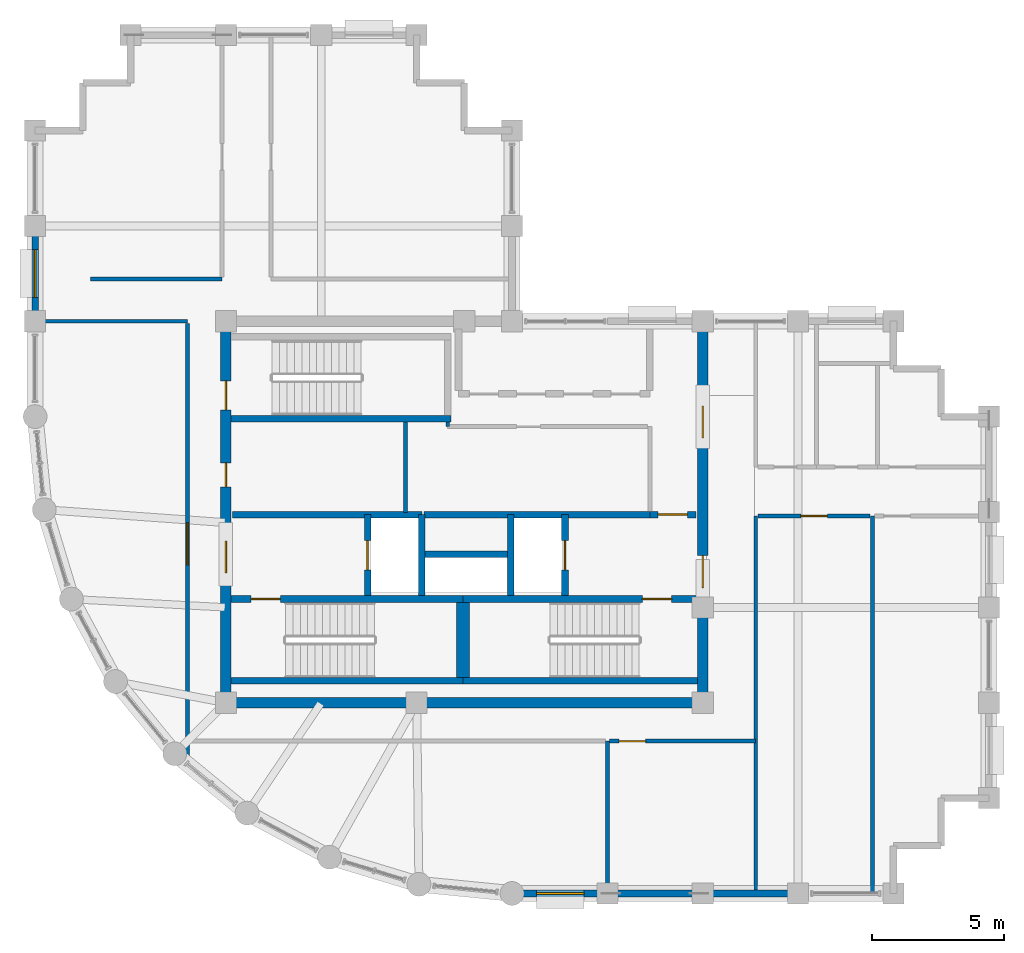
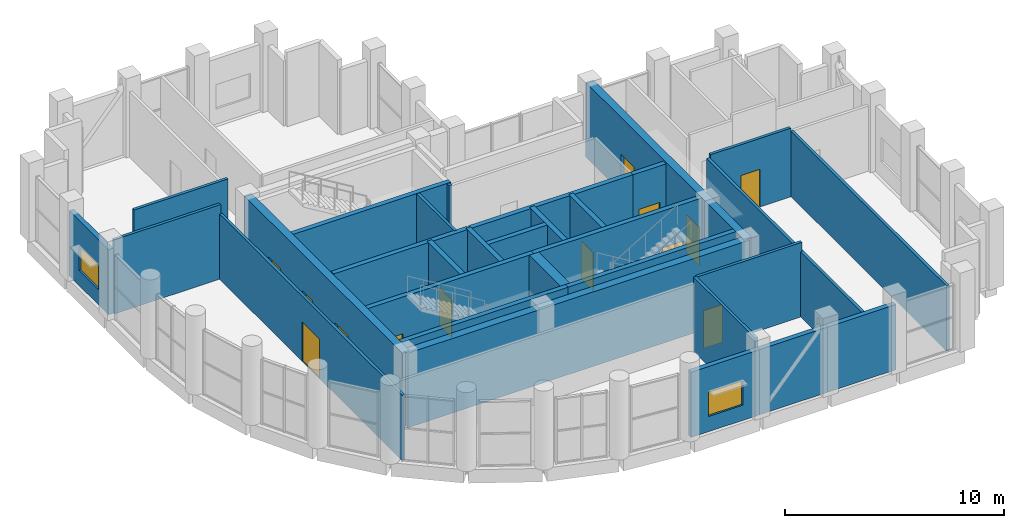
# One storey, part 14 of 18: 31 walls, 13 doors, 2 windows, 15 openings.
"""IFC4 building model written with IfcOpenShell, lengths in metres."""

import ifcopenshell
import ifcopenshell.guid

model = None  # the IFC model being written
_history = None  # IfcOwnerHistory: only IFC2X3 demands one
_inside = {}  # id of a spatial element -> (the spatial element, [elements in it])
_under = {}  # id of a project, library or spatial element -> (it, [spatial elements below it])
_declared = {}  # id of a project -> (the project, [libraries it declares])
_typed = {}  # id of a type object -> (the type object, [elements of that type])
_made_of = {}  # id of a material, layer set ... -> (it, [elements and type objects made of it])


def new_model(schema):
    """Start an empty IFC model of exactly this schema.

    Asked for "IFC4X3", IfcOpenShell would pick the latest addendum, in which some entities
    have other attributes; the version numbers below select the first issue.
    IFC2X3 requires an IfcOwnerHistory on every rooted entity: one is made here for all.
    """
    global model, _history
    if schema == "IFC4X3":
        model = ifcopenshell.file(schema_version=(4, 3, 0, 0))
    else:
        model = ifcopenshell.file(schema=schema)
    _inside.clear()
    _under.clear()
    _declared.clear()
    _typed.clear()
    _made_of.clear()
    _history = None
    if model.schema == "IFC2X3":
        org = make("IfcOrganization", Name="unknown")
        user = make(
            "IfcPersonAndOrganization",
            ThePerson=make("IfcPerson", FamilyName="unknown"),
            TheOrganization=org,
        )
        app = make(
            "IfcApplication",
            ApplicationDeveloper=org,
            Version="unknown",
            ApplicationFullName="unknown",
            ApplicationIdentifier="unknown",
        )
        _history = make(
            "IfcOwnerHistory",
            OwningUser=user,
            OwningApplication=app,
            ChangeAction="ADDED",
            CreationDate=0,
        )
    return model


def make(cls, **values):
    """One entity of the class cls with the attributes given. An attribute that is None is left unset."""
    return model.create_entity(
        cls, **{name: value for name, value in values.items() if value is not None}
    )


def rooted(cls, **values):
    """An entity with a GlobalId (a new one), such as an element, a storey or a relation."""
    return make(cls, GlobalId=ifcopenshell.guid.new(), OwnerHistory=_history, **values)


def si_unit(unit_type, name, prefix=None):
    """IfcSIUnit, for example si_unit("LENGTHUNIT", "METRE", prefix="MILLI")."""
    return make("IfcSIUnit", UnitType=unit_type, Prefix=prefix, Name=name)


def assignment(units):
    """IfcUnitAssignment: the units of a project."""
    return None if units is None else make("IfcUnitAssignment", Units=units)


def point(xyz):
    """IfcCartesianPoint."""
    return None if xyz is None else make("IfcCartesianPoint", Coordinates=xyz)


def direction(xyz):
    """IfcDirection."""
    return None if xyz is None else make("IfcDirection", DirectionRatios=xyz)


def frame(location, z_axis=None, x_axis=None):
    """IfcAxis2Placement3D, a coordinate frame: its origin and axes. An axis left out is left unset."""
    return make(
        "IfcAxis2Placement3D",
        Location=point(location),
        Axis=direction(z_axis),
        RefDirection=direction(x_axis),
    )


def frame_2d(location, x_axis=None):
    """IfcAxis2Placement2D, a coordinate frame in the plane: its origin and x axis."""
    return make(
        "IfcAxis2Placement2D", Location=point(location), RefDirection=direction(x_axis)
    )


def origin():
    """The frame at (0, 0, 0) with its axes left unset."""
    return frame((0.0, 0.0, 0.0))


def place(relative_to, where):
    """IfcLocalPlacement: puts the frame where relative to a parent placement (None: the world)."""
    return make(
        "IfcLocalPlacement", PlacementRelTo=relative_to, RelativePlacement=where
    )


def context(
    kind, dimensions, precision=None, world=None, true_north=None, identifier=None
):
    """IfcGeometricRepresentationContext, for example the 3D "Model" context."""
    return make(
        "IfcGeometricRepresentationContext",
        ContextIdentifier=identifier,
        ContextType=kind,
        CoordinateSpaceDimension=dimensions,
        Precision=precision,
        WorldCoordinateSystem=world,
        TrueNorth=true_north,
    )


def subcontext(parent, identifier, kind, view, scale=None):
    """IfcGeometricRepresentationSubContext, for example "Body" below "Model"."""
    return make(
        "IfcGeometricRepresentationSubContext",
        ContextIdentifier=identifier,
        ContextType=kind,
        ParentContext=parent,
        TargetScale=scale,
        TargetView=view,
    )


def project(units=None, contexts=None):
    """IfcProject with its units and contexts."""
    return rooted(
        "IfcProject",
        Name="project",
        RepresentationContexts=contexts,
        UnitsInContext=assignment(units),
    )


def spatial(cls, under=None, at=None, **own):
    """A site, building, storey or space (cls), placed at a placement, below another one or the project."""
    s = rooted(cls, ObjectPlacement=at, **own)
    if under is not None:
        _under.setdefault(under.id(), (under, []))[1].append(s)
    return s


def profile(cls, at=None, kind="AREA", **sizes):
    """A parametric profile (cls). Its sizes go by their IFC names, for example OverallWidth=200.0."""
    return make(cls, ProfileType=kind, Position=at, **sizes)


def rectangle(**sizes):
    """IfcRectangleProfileDef."""
    return profile("IfcRectangleProfileDef", **sizes)


def extrude(swept, where, along, depth):
    """IfcExtrudedAreaSolid: the profile swept, set in the frame where, extruded along a direction by depth."""
    return make(
        "IfcExtrudedAreaSolid",
        SweptArea=swept,
        Position=where,
        ExtrudedDirection=direction(along),
        Depth=depth,
    )


def shape(context_of_items, identifier, shape_type, items):
    """IfcShapeRepresentation: the items that make up one representation, for example the "Body"."""
    return make(
        "IfcShapeRepresentation",
        ContextOfItems=context_of_items,
        RepresentationIdentifier=identifier,
        RepresentationType=shape_type,
        Items=items,
    )


def material(Name=None, Category=None):
    """IfcMaterial."""
    return make("IfcMaterial", Name=Name, Category=Category)


def layer(
    of_material, thickness, ventilated=None, Name=None, Category=None, Priority=None
):
    """IfcMaterialLayer: one layer of a wall or slab, of a material (None: an air gap)."""
    return make(
        "IfcMaterialLayer",
        Material=of_material,
        LayerThickness=thickness,
        IsVentilated=ventilated,
        Name=Name,
        Category=Category,
        Priority=Priority,
    )


def layer_set(layers, Name=None):
    """IfcMaterialLayerSet."""
    return make("IfcMaterialLayerSet", MaterialLayers=layers, LayerSetName=Name)


def made_of(thing, what):
    """Note that an element or type object is made of a material, layer set ...; save() writes the relation."""
    if what is not None:
        _made_of.setdefault(what.id(), (what, []))[1].append(thing)
    return thing


def type_object(cls, material=None, **own):
    """A type object (cls), such as IfcWallType, which elements share."""
    return made_of(rooted(cls, **own), material)


def element(
    cls,
    number,
    at=None,
    inside=None,
    cuts=None,
    type_object=None,
    material=None,
    context=None,
    identifier="Body",
    shape_type=None,
    held_by="IfcProductDefinitionShape",
    body=None,
    shapes=None,
    **own,
):
    """One element of the class cls, such as IfcWall. Its Tag is "e" and its number.

    at: its placement. inside: the storey or other place that contains it. cuts: it is an
    opening in that element (IfcRelVoidsElement). A single representation is given by context,
    identifier, shape_type and body (its items); several are given by shapes. held_by: the class
    of the entity that holds the representations. save() writes the other relations.
    """
    e = rooted(cls, Tag="e%d" % number, ObjectPlacement=at, **own)
    if body is not None:
        shapes = [shape(context, identifier, shape_type, body)]
    if shapes is not None:
        e.Representation = make(held_by, Representations=shapes)
    if inside is not None:
        _inside.setdefault(inside.id(), (inside, []))[1].append(e)
    if cuts is not None:
        rooted(
            "IfcRelVoidsElement", RelatingBuildingElement=cuts, RelatedOpeningElement=e
        )
    if type_object is not None:
        _typed.setdefault(type_object.id(), (type_object, []))[1].append(e)
    return made_of(e, material)


def fill(opening, filler):
    """IfcRelFillsElement: the door or window that sits in an opening."""
    return rooted(
        "IfcRelFillsElement",
        RelatingOpeningElement=opening,
        RelatedBuildingElement=filler,
    )


def aggregate(whole, parts):
    """IfcRelAggregates: a whole, such as a stair, and the parts it consists of."""
    return rooted("IfcRelAggregates", RelatingObject=whole, RelatedObjects=parts)


def save(model, path):
    """Write the relations noted so far, then the file.

    IfcRelAggregates (storeys below a building ...), IfcRelContainedInSpatialStructure (elements
    in a storey), IfcRelDefinesByType, IfcRelAssociatesMaterial and IfcRelDeclares: one each for
    every whole, place, type object, material and project.
    """
    for whole, parts in _under.values():
        aggregate(whole, parts)
    for where, things in _inside.values():
        rooted(
            "IfcRelContainedInSpatialStructure",
            RelatedElements=things,
            RelatingStructure=where,
        )
    for kind, things in _typed.values():
        rooted("IfcRelDefinesByType", RelatedObjects=things, RelatingType=kind)
    for what, things in _made_of.values():
        rooted("IfcRelAssociatesMaterial", RelatedObjects=things, RelatingMaterial=what)
    for by, libraries in _declared.values():
        rooted("IfcRelDeclares", RelatingContext=by, RelatedDefinitions=libraries)
    model.write(path)


model = new_model("IFC4")

# Units and contexts
model_context = context("Model", 3, precision=1e-05, world=origin(), true_north=direction((0.0, 1.0)))
body_context = subcontext(model_context, "Body", "Model", "MODEL_VIEW")
ifc_project = project(units=[si_unit("LENGTHUNIT", "METRE"), si_unit("AREAUNIT", "SQUARE_METRE"), si_unit("VOLUMEUNIT", "CUBIC_METRE"), si_unit("PLANEANGLEUNIT", "RADIAN"), si_unit("MASSUNIT", "GRAM", prefix="KILO")], contexts=[model_context])

# Site, building, storey
site_placement = place(None, origin())
site = spatial("IfcSite", under=ifc_project, at=site_placement, CompositionType="ELEMENT")
building_placement = place(site_placement, origin())
building = spatial("IfcBuilding", under=site, at=building_placement, Name="Solnavia Interchange Tower", CompositionType="ELEMENT")
storey_placement = place(building_placement, frame((0.0, 0.0, 295.39990234375)))
storey = spatial("IfcBuildingStorey", under=building, at=storey_placement, Name="L75", CompositionType="ELEMENT", Elevation=295.39990234375)

# Wall, opening, window
ifc_material_1 = material(Name="Concrete C40/50", Category="concrete")
ifc_layer_1 = layer(ifc_material_1, 0.25)
ifc_layer_set_1 = layer_set([ifc_layer_1], Name="Concrete C40/50")
wall_type_1 = type_object("IfcWallType", Name="Wall-ExtSpandrel-250", PredefinedType="STANDARD", material=ifc_layer_set_1)
wall_1_placement = place(storey_placement, frame((28.800048828125, 3.60009765625, 0.0), z_axis=(0.0, 0.0, 1.0), x_axis=(-1.0, 0.0, 0.0)))
wall_1 = element("IfcWall", 1, at=wall_1_placement, inside=storey, type_object=wall_type_1, Name="EXW-L75-01 Exterior precast spandrel wall", PredefinedType="STANDARD", context=body_context, shape_type="SweptSolid", body=[
    extrude(rectangle(XDim=3.60009765625, YDim=0.25, at=frame_2d((1.800048828125, 0.0))), origin(), (0.0, 0.0, 1.0), 3.630126953125),
])
opening_1_placement = place(wall_1_placement, frame((0.875, 0.0, 0.85009765625)))
opening_1 = element("IfcOpeningElement", 2, at=opening_1_placement, cuts=wall_1, Name="Opening WIN-02", PredefinedType="OPENING", context=body_context, shape_type="SweptSolid", body=[
    extrude(rectangle(XDim=1.800048828125, YDim=1.35009765625, at=frame_2d((0.89990234375, 0.675048828125))), frame((0.0, 0.135009765625, 0.0), z_axis=(0.0, -1.0, 0.0), x_axis=(1.0, 0.0, 0.0)), (0.0, 0.0, 1.0), 0.27001953125),
])
ifc_material_2 = material(Name="Thermal-Break Aluminium & Low-E Glass", Category="aluminium")
window_type = type_object("IfcWindowType", Name="Window-Ribbon-1800x1350", PartitioningType="SINGLE_PANEL", PredefinedType="WINDOW", material=ifc_material_2)
window_1_placement = place(opening_1_placement, origin())
window_1 = element("IfcWindow", 3, at=window_1_placement, inside=storey, type_object=window_type, Name="WIN-L75-01 Facade ribbon window", OverallHeight=1.35009765625, OverallWidth=1.800048828125, PartitioningType="SINGLE_PANEL", PredefinedType="WINDOW", context=body_context, shape_type="SweptSolid", body=[
    extrude(rectangle(XDim=1.800048828125, YDim=1.35009765625, at=frame_2d((0.89990234375, 0.675048828125))), frame((0.0, 0.030029296875, 0.0), z_axis=(0.0, -1.0, 0.0), x_axis=(1.0, 0.0, 0.0)), (0.0, 0.0, 1.0), 0.06005859375),
])
fill(opening_1, window_1)

# Walls
wall_2_placement = place(storey_placement, frame((32.39990234375, 3.60009765625, 0.0), z_axis=(0.0, 0.0, 1.0), x_axis=(-1.0, 0.0, 0.0)))
element("IfcWall", 4, at=wall_2_placement, inside=storey, type_object=wall_type_1, Name="EXW-L75-02 Exterior precast spandrel wall", PredefinedType="STANDARD", context=body_context, shape_type="SweptSolid", body=[
    extrude(rectangle(XDim=3.599853515625, YDim=0.25, at=frame_2d((1.7998046875, 0.0))), origin(), (0.0, 0.0, 1.0), 3.630126953125),
])
wall_3_placement = place(storey_placement, frame((36.0, 3.60009765625, 0.0), z_axis=(0.0, 0.0, 1.0), x_axis=(-1.0, 0.0, 0.0)))
element("IfcWall", 5, at=wall_3_placement, inside=storey, type_object=wall_type_1, Name="EXW-L75-03 Exterior precast spandrel wall", PredefinedType="STANDARD", context=body_context, shape_type="SweptSolid", body=[
    extrude(rectangle(XDim=3.60009765625, YDim=0.25, at=frame_2d((1.800048828125, 0.0))), origin(), (0.0, 0.0, 1.0), 3.630126953125),
])

# Wall, opening, window
wall_4_placement = place(storey_placement, frame((7.199951171875, 25.199951171875, 0.0), z_axis=(0.0, 0.0, 1.0), x_axis=(0.0, 1.0, 0.0)))
wall_4 = element("IfcWall", 6, at=wall_4_placement, inside=storey, type_object=wall_type_1, Name="EXW-L75-35 Exterior precast spandrel wall", PredefinedType="STANDARD", context=body_context, shape_type="SweptSolid", body=[
    extrude(rectangle(XDim=3.60009765625, YDim=0.25, at=frame_2d((1.800048828125, 0.0))), origin(), (0.0, 0.0, 1.0), 3.630126953125),
])
opening_2_placement = place(wall_4_placement, frame((0.89990234375, 0.0, 0.85009765625)))
opening_2 = element("IfcOpeningElement", 7, at=opening_2_placement, cuts=wall_4, Name="Opening WIN-02", PredefinedType="OPENING", context=body_context, shape_type="SweptSolid", body=[
    extrude(rectangle(XDim=1.800048828125, YDim=1.35009765625, at=frame_2d((0.89990234375, 0.675048828125))), frame((0.0, 0.135009765625, 0.0), z_axis=(0.0, -1.0, 0.0), x_axis=(1.0, 0.0, 0.0)), (0.0, 0.0, 1.0), 0.27001953125),
])
window_2_placement = place(opening_2_placement, origin())
window_2 = element("IfcWindow", 8, at=window_2_placement, inside=storey, type_object=window_type, Name="WIN-L75-35 Facade ribbon window", OverallHeight=1.35009765625, OverallWidth=1.800048828125, PartitioningType="SINGLE_PANEL", PredefinedType="WINDOW", context=body_context, shape_type="SweptSolid", body=[
    extrude(rectangle(XDim=1.800048828125, YDim=1.35009765625, at=frame_2d((0.89990234375, 0.675048828125))), frame((0.0, 0.030029296875, 0.0), z_axis=(0.0, -1.0, 0.0), x_axis=(1.0, 0.0, 0.0)), (0.0, 0.0, 1.0), 0.06005859375),
])
fill(opening_2, window_2)

# Walls
ifc_material_3 = material(Name="Gypsum Plasterboard & Steel Stud", Category="steel")
ifc_layer_2 = layer(ifc_material_3, 0.14990234375)
ifc_layer_set_2 = layer_set([ifc_layer_2], Name="Gypsum Plasterboard & Steel Stud")
wall_type_2 = type_object("IfcWallType", Name="Wall-Partition-150", PredefinedType="PARTITIONING", material=ifc_layer_set_2)
wall_5_placement = place(storey_placement, frame((22.77490234375, 21.219970703125, 0.0), z_axis=(0.0, 0.0, 1.0), x_axis=(0.0, 1.0, 0.0)))
element("IfcWall", 9, at=wall_5_placement, inside=storey, type_object=wall_type_2, Name="CSW-L75-ST-TIE Core shaft wall", PredefinedType="PARTITIONING", context=body_context, shape_type="SweptSolid", body=[
    extrude(rectangle(XDim=0.175048828125, YDim=0.14990234375, at=frame_2d((0.08740234375, 0.0))), origin(), (0.0, 0.0, 1.0), 4.135009765625),
])
wall_6_placement = place(storey_placement, frame((21.179931640625, 17.97998046875, 0.0), z_axis=(0.0, 0.0, 1.0), x_axis=(0.0, 1.0, 0.0)))
element("IfcWall", 10, at=wall_6_placement, inside=storey, type_object=wall_type_2, Name="CSW-L75-M0 Core shaft wall", PredefinedType="PARTITIONING", context=body_context, shape_type="SweptSolid", body=[
    extrude(rectangle(XDim=3.419921875, YDim=0.14990234375, at=frame_2d((1.7099609375, 0.0))), origin(), (0.0, 0.0, 1.0), 4.135009765625),
])
wall_7_placement = place(storey_placement, frame((7.3291015625, 25.199951171875, 0.0), z_axis=(0.0, 0.0, 1.0), x_axis=(1.0, 0.0, 0.0)))
element("IfcWall", 11, at=wall_7_placement, inside=storey, type_object=wall_type_2, Name="PTW-L75-07 Interior partition wall", PredefinedType="PARTITIONING", context=body_context, shape_type="SweptSolid", body=[
    extrude(rectangle(XDim=5.620849609375, YDim=0.14990234375, at=frame_2d((2.810546875, 0.0))), origin(), (0.0, 0.0, 1.0), 4.135009765625),
])
wall_8_placement = place(storey_placement, frame((28.800048828125, 9.35009765625, 0.0), z_axis=(0.0, 0.0, 1.0), x_axis=(0.0, -1.0, 0.0)))
element("IfcWall", 12, at=wall_8_placement, inside=storey, type_object=wall_type_2, Name="PTW-L75-08 Interior partition wall", PredefinedType="PARTITIONING", context=body_context, shape_type="SweptSolid", body=[
    extrude(rectangle(XDim=5.62109375, YDim=0.14990234375, at=frame_2d((2.810546875, 0.0))), origin(), (0.0, 0.0, 1.0), 4.135009765625),
])

# Wall, opening, door
wall_9_placement = place(storey_placement, frame((12.949951171875, 8.47998046875, 0.0), z_axis=(0.0, 0.0, 1.0), x_axis=(0.0, 1.0, 0.0)))
wall_9 = element("IfcWall", 13, at=wall_9_placement, inside=storey, type_object=wall_type_2, Name="PTW-L75-09 Interior partition wall", PredefinedType="PARTITIONING", context=body_context, shape_type="SweptSolid", body=[
    extrude(rectangle(XDim=16.64111328125, YDim=0.14990234375, at=frame_2d((8.320556640625, 0.0))), origin(), (0.0, 0.0, 1.0), 3.630126953125),
])
opening_3_placement = place(wall_9_placement, frame((7.52001953125, 0.0, 0.0)))
opening_3 = element("IfcOpeningElement", 14, at=opening_3_placement, cuts=wall_9, Name="Opening DR-08", PredefinedType="OPENING", context=body_context, shape_type="SweptSolid", body=[
    extrude(rectangle(XDim=1.60009765625, YDim=2.199951171875, at=frame_2d((0.800048828125, 1.10009765625))), frame((0.0, 0.0849609375, 0.0), z_axis=(0.0, -1.0, 0.0), x_axis=(1.0, 0.0, 0.0)), (0.0, 0.0, 1.0), 0.169921875),
])
ifc_material_4 = material(Name="Thermally Broken Aluminium & Toughened Glass", Category="aluminium")
door_type_1 = type_object("IfcDoorType", Name="Door-RetailDouble-1600x2200", OperationType="DOUBLE_DOOR_SINGLE_SWING", PredefinedType="DOOR", material=ifc_material_4)
door_1_placement = place(opening_3_placement, origin())
door_1 = element("IfcDoor", 15, at=door_1_placement, inside=storey, type_object=door_type_1, Name="DR-L75-03 Interior room door", OperationType="DOUBLE_DOOR_SINGLE_SWING", OverallHeight=2.199951171875, OverallWidth=1.60009765625, PredefinedType="DOOR", context=body_context, shape_type="SweptSolid", body=[
    extrude(rectangle(XDim=1.60009765625, YDim=2.199951171875, at=frame_2d((0.800048828125, 1.10009765625))), frame((0.0, 0.02490234375, 0.0), z_axis=(0.0, -1.0, 0.0), x_axis=(1.0, 0.0, 0.0)), (0.0, 0.0, 1.0), 0.050048828125),
])
fill(opening_3, door_1)

wall_10_placement = place(storey_placement, frame((28.87890625, 9.35009765625, 0.0), z_axis=(0.0, 0.0, 1.0), x_axis=(1.0, 0.0, 0.0)))
wall_10 = element("IfcWall", 16, at=wall_10_placement, inside=storey, type_object=wall_type_2, Name="PTW-L75-11 Interior partition wall", PredefinedType="PARTITIONING", context=body_context, shape_type="SweptSolid", body=[
    extrude(rectangle(XDim=5.52099609375, YDim=0.14990234375, at=frame_2d((2.760498046875, 0.0))), origin(), (0.0, 0.0, 1.0), 4.135009765625),
])
opening_4_placement = place(wall_10_placement, frame((0.360107421875, 0.0, 0.0)))
opening_4 = element("IfcOpeningElement", 17, at=opening_4_placement, cuts=wall_10, Name="Opening DR-07", PredefinedType="OPENING", context=body_context, shape_type="SweptSolid", body=[
    extrude(rectangle(XDim=1.0, YDim=2.10009765625, at=frame_2d((0.5, 1.050048828125))), frame((0.0, 0.0849609375, 0.0), z_axis=(0.0, -1.0, 0.0), x_axis=(1.0, 0.0, 0.0)), (0.0, 0.0, 1.0), 0.169921875),
])
ifc_material_5 = material(Name="Timber & Acoustic Glazed Office Door", Category="wood")
door_type_2 = type_object("IfcDoorType", Name="Door-Office-1000x2100", OperationType="SINGLE_SWING_RIGHT", PredefinedType="DOOR", material=ifc_material_5)
door_2_placement = place(opening_4_placement, origin())
door_2 = element("IfcDoor", 18, at=door_2_placement, inside=storey, type_object=door_type_2, Name="DR-L75-04 Interior room door", OperationType="SINGLE_SWING_LEFT", OverallHeight=2.10009765625, OverallWidth=1.0, PredefinedType="DOOR", context=body_context, shape_type="SweptSolid", body=[
    extrude(rectangle(XDim=1.0, YDim=2.10009765625, at=frame_2d((0.5, 1.050048828125))), frame((0.0, 0.02490234375, 0.0), z_axis=(0.0, -1.0, 0.0), x_axis=(1.0, 0.0, 0.0)), (0.0, 0.0, 1.0), 0.050048828125),
])
fill(opening_4, door_2)

# Walls
wall_11_placement = place(storey_placement, frame((34.39990234375, 3.72900390625, 0.0), z_axis=(0.0, 0.0, 1.0), x_axis=(0.0, 1.0, 0.0)))
element("IfcWall", 19, at=wall_11_placement, inside=storey, type_object=wall_type_2, Name="PTW-L75-12 Interior partition wall", PredefinedType="PARTITIONING", context=body_context, shape_type="SweptSolid", body=[
    extrude(rectangle(XDim=14.12109375, YDim=0.14990234375, at=frame_2d((7.060546875, 0.0))), origin(), (0.0, 0.0, 1.0), 3.630126953125),
])
wall_12_placement = place(storey_placement, frame((38.800048828125, 3.60009765625, 0.0), z_axis=(0.0, 0.0, 1.0), x_axis=(0.0, 1.0, 0.0)))
element("IfcWall", 20, at=wall_12_placement, inside=storey, type_object=wall_type_2, Name="PTW-L75-13 Interior partition wall", PredefinedType="PARTITIONING", context=body_context, shape_type="SweptSolid", body=[
    extrude(rectangle(XDim=14.25, YDim=0.14990234375, at=frame_2d((7.125, 0.0))), origin(), (0.0, 0.0, 1.0), 3.630126953125),
])

# Wall, opening, door
wall_13_placement = place(storey_placement, frame((34.47900390625, 17.85009765625, 0.0), z_axis=(0.0, 0.0, 1.0), x_axis=(1.0, 0.0, 0.0)))
wall_13 = element("IfcWall", 21, at=wall_13_placement, inside=storey, type_object=wall_type_2, Name="PTW-L75-14 Interior partition wall", PredefinedType="PARTITIONING", context=body_context, shape_type="SweptSolid", body=[
    extrude(rectangle(XDim=4.241943359375, YDim=0.14990234375, at=frame_2d((2.12109375, 0.0))), origin(), (0.0, 0.0, 1.0), 3.820068359375),
])
opening_5_placement = place(wall_13_placement, frame((1.62109375, 0.0, 0.0)))
opening_5 = element("IfcOpeningElement", 22, at=opening_5_placement, cuts=wall_13, Name="Opening DR-07", PredefinedType="OPENING", context=body_context, shape_type="SweptSolid", body=[
    extrude(rectangle(XDim=1.0, YDim=2.10009765625, at=frame_2d((0.5, 1.050048828125))), frame((0.0, 0.0849609375, 0.0), z_axis=(0.0, -1.0, 0.0), x_axis=(1.0, 0.0, 0.0)), (0.0, 0.0, 1.0), 0.169921875),
])
door_3_placement = place(opening_5_placement, origin())
door_3 = element("IfcDoor", 23, at=door_3_placement, inside=storey, type_object=door_type_2, Name="DR-L75-05 Interior room door", OperationType="SINGLE_SWING_LEFT", OverallHeight=2.10009765625, OverallWidth=1.0, PredefinedType="DOOR", context=body_context, shape_type="SweptSolid", body=[
    extrude(rectangle(XDim=1.0, YDim=2.10009765625, at=frame_2d((0.5, 1.050048828125))), frame((0.0, 0.02490234375, 0.0), z_axis=(0.0, -1.0, 0.0), x_axis=(1.0, 0.0, 0.0)), (0.0, 0.0, 1.0), 0.050048828125),
])
fill(opening_5, door_3)

# Walls
wall_14_placement = place(storey_placement, frame((9.300048828125, 26.800048828125, 0.0), z_axis=(0.0, 0.0, 1.0), x_axis=(1.0, 0.0, 0.0)))
element("IfcWall", 24, at=wall_14_placement, inside=storey, type_object=wall_type_2, Name="PTW-L75-17 Interior partition wall", PredefinedType="PARTITIONING", context=body_context, shape_type="SweptSolid", body=[
    extrude(rectangle(XDim=4.949951171875, YDim=0.14990234375, at=frame_2d((2.47509765625, 0.0))), origin(), (0.0, 0.0, 1.0), 4.135009765625),
])
ifc_layer_3 = layer(ifc_material_1, 0.25)
ifc_layer_set_3 = layer_set([ifc_layer_3], Name="Concrete C40/50")
wall_type_3 = type_object("IfcWallType", Name="Wall-ShaftCore-250", PredefinedType="SHEAR", material=ifc_layer_set_3)
wall_15_placement = place(storey_placement, frame((14.60009765625, 11.625, 0.0), z_axis=(0.0, 0.0, 1.0), x_axis=(1.0, 0.0, 0.0)))
element("IfcWall", 25, at=wall_15_placement, inside=storey, type_object=wall_type_3, Name="SHW-L75-ST1S Core shear wall", PredefinedType="SHEAR", context=body_context, shape_type="SweptSolid", body=[
    extrude(rectangle(XDim=8.75, YDim=0.25, at=frame_2d((4.375, 0.0))), origin(), (0.0, 0.0, 1.0), 4.150146484375),
])

# Wall, opening, door
wall_16_placement = place(storey_placement, frame((14.60009765625, 14.715087890625, 0.0), z_axis=(0.0, 0.0, 1.0), x_axis=(1.0, 0.0, 0.0)))
wall_16 = element("IfcWall", 26, at=wall_16_placement, inside=storey, type_object=wall_type_3, Name="SHW-L75-ST1N Core shear wall", PredefinedType="SHEAR", context=body_context, shape_type="SweptSolid", body=[
    extrude(rectangle(XDim=8.75, YDim=0.25, at=frame_2d((4.375, 0.0))), origin(), (0.0, 0.0, 1.0), 4.150146484375),
])
opening_6_placement = place(wall_16_placement, frame((0.7548828125, 0.0, 0.0)))
opening_6 = element("IfcOpeningElement", 27, at=opening_6_placement, cuts=wall_16, Name="Opening DR-01", PredefinedType="OPENING", context=body_context, shape_type="SweptSolid", body=[
    extrude(rectangle(XDim=1.10009765625, YDim=2.10009765625, at=frame_2d((0.550048828125, 1.050048828125))), frame((0.0, 0.135009765625, 0.0), z_axis=(0.0, -1.0, 0.0), x_axis=(1.0, 0.0, 0.0)), (0.0, 0.0, 1.0), 0.27001953125),
])
ifc_material_6 = material(Name="Steel Fire-Rated Leaf & Frame", Category="steel")
door_type_3 = type_object("IfcDoorType", Name="Door-StairFire-1100x2100", OperationType="SINGLE_SWING_LEFT", PredefinedType="DOOR", material=ifc_material_6)
door_4_placement = place(opening_6_placement, origin())
door_4 = element("IfcDoor", 28, at=door_4_placement, inside=storey, type_object=door_type_3, Name="DR-L75-ST1 Core fire door", OperationType="SINGLE_SWING_LEFT", OverallHeight=2.10009765625, OverallWidth=1.10009765625, PredefinedType="DOOR", context=body_context, shape_type="SweptSolid", body=[
    extrude(rectangle(XDim=1.10009765625, YDim=2.10009765625, at=frame_2d((0.550048828125, 1.050048828125))), frame((0.0, 0.02490234375, 0.0), z_axis=(0.0, -1.0, 0.0), x_axis=(1.0, 0.0, 0.0)), (0.0, 0.0, 1.0), 0.050048828125),
])
fill(opening_6, door_4)

# Wall
wall_17_placement = place(storey_placement, frame((23.35009765625, 11.625, 0.0), z_axis=(0.0, 0.0, 1.0), x_axis=(1.0, 0.0, 0.0)))
element("IfcWall", 29, at=wall_17_placement, inside=storey, type_object=wall_type_3, Name="SHW-L75-ST2S Core shear wall", PredefinedType="SHEAR", context=body_context, shape_type="SweptSolid", body=[
    extrude(rectangle(XDim=8.849853515625, YDim=0.25, at=frame_2d((4.4248046875, 0.0))), origin(), (0.0, 0.0, 1.0), 4.150146484375),
])

# Wall, opening, door
wall_18_placement = place(storey_placement, frame((23.35009765625, 14.715087890625, 0.0), z_axis=(0.0, 0.0, 1.0), x_axis=(1.0, 0.0, 0.0)))
wall_18 = element("IfcWall", 30, at=wall_18_placement, inside=storey, type_object=wall_type_3, Name="SHW-L75-ST2N Core shear wall", PredefinedType="SHEAR", context=body_context, shape_type="SweptSolid", body=[
    extrude(rectangle(XDim=8.849853515625, YDim=0.25, at=frame_2d((4.4248046875, 0.0))), origin(), (0.0, 0.0, 1.0), 4.150146484375),
])
opening_7_placement = place(wall_18_placement, frame((6.77490234375, 0.0, 0.0)))
opening_7 = element("IfcOpeningElement", 31, at=opening_7_placement, cuts=wall_18, Name="Opening DR-01", PredefinedType="OPENING", context=body_context, shape_type="SweptSolid", body=[
    extrude(rectangle(XDim=1.10009765625, YDim=2.10009765625, at=frame_2d((0.550048828125, 1.050048828125))), frame((0.0, 0.135009765625, 0.0), z_axis=(0.0, -1.0, 0.0), x_axis=(1.0, 0.0, 0.0)), (0.0, 0.0, 1.0), 0.27001953125),
])
door_5_placement = place(opening_7_placement, origin())
door_5 = element("IfcDoor", 32, at=door_5_placement, inside=storey, type_object=door_type_3, Name="DR-L75-ST2 Core fire door", OperationType="SINGLE_SWING_LEFT", OverallHeight=2.10009765625, OverallWidth=1.10009765625, PredefinedType="DOOR", context=body_context, shape_type="SweptSolid", body=[
    extrude(rectangle(XDim=1.10009765625, YDim=2.10009765625, at=frame_2d((0.550048828125, 1.050048828125))), frame((0.0, 0.02490234375, 0.0), z_axis=(0.0, -1.0, 0.0), x_axis=(1.0, 0.0, 0.0)), (0.0, 0.0, 1.0), 0.050048828125),
])
fill(opening_7, door_5)

# Walls
wall_19_placement = place(storey_placement, frame((14.60009765625, 21.52490234375, 0.0), z_axis=(0.0, 0.0, 1.0), x_axis=(1.0, 0.0, 0.0)))
element("IfcWall", 33, at=wall_19_placement, inside=storey, type_object=wall_type_3, Name="SHW-L75-ST3S Core shear wall", PredefinedType="SHEAR", context=body_context, shape_type="SweptSolid", body=[
    extrude(rectangle(XDim=8.2998046875, YDim=0.25, at=frame_2d((4.14990234375, 0.0))), origin(), (0.0, 0.0, 1.0), 4.150146484375),
])
ifc_layer_4 = layer(ifc_material_1, 0.25)
ifc_layer_set_4 = layer_set([ifc_layer_4], Name="Concrete C40/50")
wall_type_4 = type_object("IfcWallType", Name="Wall-ShaftPart-250", PredefinedType="PARTITIONING", material=ifc_layer_set_4)
wall_20_placement = place(storey_placement, frame((14.64990234375, 17.89990234375, 0.0), z_axis=(0.0, 0.0, 1.0), x_axis=(1.0, 0.0, 0.0)))
element("IfcWall", 34, at=wall_20_placement, inside=storey, type_object=wall_type_4, Name="SHW-L75-FFLW-N Core shaft wall", PredefinedType="PARTITIONING", context=body_context, shape_type="SweptSolid", body=[
    extrude(rectangle(XDim=7.150146484375, YDim=0.25, at=frame_2d((3.5751953125, 0.0))), origin(), (0.0, 0.0, 1.0), 4.135009765625),
])

# Wall, opening, door
wall_21_placement = place(storey_placement, frame((19.75, 14.840087890625, 0.0), z_axis=(0.0, 0.0, 1.0), x_axis=(0.0, 1.0, 0.0)))
wall_21 = element("IfcWall", 35, at=wall_21_placement, inside=storey, type_object=wall_type_4, Name="SHW-L75-FFL1-W Core shaft wall", PredefinedType="PARTITIONING", context=body_context, shape_type="SweptSolid", body=[
    extrude(rectangle(XDim=3.059814453125, YDim=0.25, at=frame_2d((1.52978515625, 0.0))), origin(), (0.0, 0.0, 1.0), 4.135009765625),
])
opening_8_placement = place(wall_21_placement, frame((0.97998046875, 0.0, 0.0)))
opening_8 = element("IfcOpeningElement", 36, at=opening_8_placement, cuts=wall_21, Name="Opening LD-01", PredefinedType="OPENING", context=body_context, shape_type="SweptSolid", body=[
    extrude(rectangle(XDim=1.10009765625, YDim=2.10009765625, at=frame_2d((0.550048828125, 1.050048828125))), frame((0.0, 0.135009765625, 0.0), z_axis=(0.0, -1.0, 0.0), x_axis=(1.0, 0.0, 0.0)), (0.0, 0.0, 1.0), 0.27001953125),
])
ifc_material_7 = material(Name="Brushed Stainless Steel Sliding Door", Category="steel")
door_type_4 = type_object("IfcDoorType", Name="Door-LiftLanding-1100x2100", OperationType="SLIDING_TO_LEFT", PredefinedType="DOOR", material=ifc_material_7)
door_6_placement = place(opening_8_placement, origin())
door_6 = element("IfcDoor", 37, at=door_6_placement, inside=storey, type_object=door_type_4, Name="LD-L75-FFL1 Lift landing sliding door", OperationType="SLIDING_TO_LEFT", OverallHeight=2.10009765625, OverallWidth=1.10009765625, PredefinedType="DOOR", context=body_context, shape_type="SweptSolid", body=[
    extrude(rectangle(XDim=1.10009765625, YDim=2.10009765625, at=frame_2d((0.550048828125, 1.050048828125))), frame((0.0, 0.02490234375, 0.0), z_axis=(0.0, -1.0, 0.0), x_axis=(1.0, 0.0, 0.0)), (0.0, 0.0, 1.0), 0.050048828125),
])
fill(opening_8, door_6)

# Walls
wall_22_placement = place(storey_placement, frame((21.800048828125, 14.840087890625, 0.0), z_axis=(0.0, 0.0, 1.0), x_axis=(0.0, 1.0, 0.0)))
element("IfcWall", 38, at=wall_22_placement, inside=storey, type_object=wall_type_4, Name="SHW-L75-FFL1-E Core shaft wall", PredefinedType="PARTITIONING", context=body_context, shape_type="SweptSolid", body=[
    extrude(rectangle(XDim=3.059814453125, YDim=0.25, at=frame_2d((1.52978515625, 0.0))), origin(), (0.0, 0.0, 1.0), 4.135009765625),
])
wall_23_placement = place(storey_placement, frame((21.8798828125, 17.89990234375, 0.0), z_axis=(0.0, 0.0, 1.0), x_axis=(1.0, 0.0, 0.0)))
element("IfcWall", 39, at=wall_23_placement, inside=storey, type_object=wall_type_4, Name="SHW-L75-FFLE-N1 Core shaft wall", PredefinedType="PARTITIONING", context=body_context, shape_type="SweptSolid", body=[
    extrude(rectangle(XDim=8.52001953125, YDim=0.25, at=frame_2d((4.260009765625, 0.0))), origin(), (0.0, 0.0, 1.0), 4.135009765625),
])

# Wall, opening, door
wall_24_placement = place(storey_placement, frame((30.39990234375, 17.89990234375, 0.0), z_axis=(0.0, 0.0, 1.0), x_axis=(1.0, 0.0, 0.0)))
wall_24 = element("IfcWall", 40, at=wall_24_placement, inside=storey, type_object=wall_type_4, Name="SHW-L75-FFLE-N2 Core shaft wall", PredefinedType="PARTITIONING", context=body_context, shape_type="SweptSolid", body=[
    extrude(rectangle(XDim=1.75, YDim=0.25, at=frame_2d((0.875, 0.0))), origin(), (0.0, 0.0, 1.0), 4.135009765625),
])
opening_9_placement = place(wall_24_placement, frame((0.320068359375, 0.0, 0.0)))
opening_9 = element("IfcOpeningElement", 41, at=opening_9_placement, cuts=wall_24, Name="Opening DR-01", PredefinedType="OPENING", context=body_context, shape_type="SweptSolid", body=[
    extrude(rectangle(XDim=1.10009765625, YDim=2.10009765625, at=frame_2d((0.550048828125, 1.050048828125))), frame((0.0, 0.135009765625, 0.0), z_axis=(0.0, -1.0, 0.0), x_axis=(1.0, 0.0, 0.0)), (0.0, 0.0, 1.0), 0.27001953125),
])
door_7_placement = place(opening_9_placement, origin())
door_7 = element("IfcDoor", 42, at=door_7_placement, inside=storey, type_object=door_type_3, Name="DR-L75-LLC Core fire door", OperationType="SINGLE_SWING_LEFT", OverallHeight=2.10009765625, OverallWidth=1.10009765625, PredefinedType="DOOR", context=body_context, shape_type="SweptSolid", body=[
    extrude(rectangle(XDim=1.10009765625, YDim=2.10009765625, at=frame_2d((0.550048828125, 1.050048828125))), frame((0.0, 0.02490234375, 0.0), z_axis=(0.0, -1.0, 0.0), x_axis=(1.0, 0.0, 0.0)), (0.0, 0.0, 1.0), 0.050048828125),
])
fill(opening_9, door_7)

# Wall
wall_25_placement = place(storey_placement, frame((25.14990234375, 14.840087890625, 0.0), z_axis=(0.0, 0.0, 1.0), x_axis=(0.0, 1.0, 0.0)))
element("IfcWall", 43, at=wall_25_placement, inside=storey, type_object=wall_type_4, Name="SHW-L75-FFL2-W Core shaft wall", PredefinedType="PARTITIONING", context=body_context, shape_type="SweptSolid", body=[
    extrude(rectangle(XDim=3.059814453125, YDim=0.25, at=frame_2d((1.52978515625, 0.0))), origin(), (0.0, 0.0, 1.0), 4.135009765625),
])

# Wall, opening, door
wall_26_placement = place(storey_placement, frame((27.199951171875, 14.840087890625, 0.0), z_axis=(0.0, 0.0, 1.0), x_axis=(0.0, 1.0, 0.0)))
wall_26 = element("IfcWall", 44, at=wall_26_placement, inside=storey, type_object=wall_type_4, Name="SHW-L75-FFL2-E Core shaft wall", PredefinedType="PARTITIONING", context=body_context, shape_type="SweptSolid", body=[
    extrude(rectangle(XDim=3.059814453125, YDim=0.25, at=frame_2d((1.52978515625, 0.0))), origin(), (0.0, 0.0, 1.0), 4.135009765625),
])
opening_10_placement = place(wall_26_placement, frame((0.97998046875, 0.0, 0.0)))
opening_10 = element("IfcOpeningElement", 45, at=opening_10_placement, cuts=wall_26, Name="Opening LD-01", PredefinedType="OPENING", context=body_context, shape_type="SweptSolid", body=[
    extrude(rectangle(XDim=1.10009765625, YDim=2.10009765625, at=frame_2d((0.550048828125, 1.050048828125))), frame((0.0, 0.135009765625, 0.0), z_axis=(0.0, -1.0, 0.0), x_axis=(1.0, 0.0, 0.0)), (0.0, 0.0, 1.0), 0.27001953125),
])
door_8_placement = place(opening_10_placement, origin())
door_8 = element("IfcDoor", 46, at=door_8_placement, inside=storey, type_object=door_type_4, Name="LD-L75-FFL2 Lift landing sliding door", OperationType="SLIDING_TO_LEFT", OverallHeight=2.10009765625, OverallWidth=1.10009765625, PredefinedType="DOOR", context=body_context, shape_type="SweptSolid", body=[
    extrude(rectangle(XDim=1.10009765625, YDim=2.10009765625, at=frame_2d((0.550048828125, 1.050048828125))), frame((0.0, 0.02490234375, 0.0), z_axis=(0.0, -1.0, 0.0), x_axis=(1.0, 0.0, 0.0)), (0.0, 0.0, 1.0), 0.050048828125),
])
fill(opening_10, door_8)

# Walls
wall_27_placement = place(storey_placement, frame((21.800048828125, 16.39990234375, 0.0), z_axis=(0.0, 0.0, 1.0), x_axis=(1.0, 0.0, 0.0)))
element("IfcWall", 47, at=wall_27_placement, inside=storey, type_object=wall_type_4, Name="SHW-L75-MEP-N Core shaft wall", PredefinedType="PARTITIONING", context=body_context, shape_type="SweptSolid", body=[
    extrude(rectangle(XDim=3.349853515625, YDim=0.25, at=frame_2d((1.6748046875, 0.0))), origin(), (0.0, 0.0, 1.0), 4.135009765625),
])
ifc_material_8 = material(Name="Concrete C50/60", Category="concrete")
ifc_layer_5 = layer(ifc_material_8, 0.39990234375)
ifc_layer_set_5 = layer_set([ifc_layer_5], Name="Concrete C50/60")
wall_type_5 = type_object("IfcWallType", Name="Wall-ShearCore-400", PredefinedType="SHEAR", material=ifc_layer_set_5)
wall_28_placement = place(storey_placement, frame((14.39990234375, 10.800048828125, 0.0), z_axis=(0.0, 0.0, 1.0), x_axis=(1.0, 0.0, 0.0)))
element("IfcWall", 48, at=wall_28_placement, inside=storey, type_object=wall_type_5, Name="CRW-L75-S Core shear wall", PredefinedType="SHEAR", context=body_context, shape_type="SweptSolid", body=[
    extrude(rectangle(XDim=18.0, YDim=0.39990234375, at=frame_2d((9.0, 0.0))), origin(), (0.0, 0.0, 1.0), 4.150146484375),
])

# Wall, openings, doors
wall_29_placement = place(storey_placement, frame((14.39990234375, 10.800048828125, 0.0), z_axis=(0.0, 0.0, 1.0), x_axis=(0.0, 1.0, 0.0)))
wall_29 = element("IfcWall", 49, at=wall_29_placement, inside=storey, type_object=wall_type_5, Name="CRW-L75-W Core shear wall", PredefinedType="SHEAR", context=body_context, shape_type="SweptSolid", body=[
    extrude(rectangle(XDim=14.39990234375, YDim=0.39990234375, at=frame_2d((7.199951171875, 0.0))), origin(), (0.0, 0.0, 1.0), 4.150146484375),
])
opening_11_placement = place(wall_29_placement, frame((11.050048828125, 0.0, 0.0)))
opening_11 = element("IfcOpeningElement", 50, at=opening_11_placement, cuts=wall_29, Name="Opening DR-01", PredefinedType="OPENING", context=body_context, shape_type="SweptSolid", body=[
    extrude(rectangle(XDim=1.10009765625, YDim=2.10009765625, at=frame_2d((0.550048828125, 1.050048828125))), frame((0.0, 0.2099609375, 0.0), z_axis=(0.0, -1.0, 0.0), x_axis=(1.0, 0.0, 0.0)), (0.0, 0.0, 1.0), 0.419921875),
])
opening_12_placement = place(wall_29_placement, frame((4.89990234375, 0.0, 0.0)))
opening_12 = element("IfcOpeningElement", 51, at=opening_12_placement, cuts=wall_29, Name="Opening DR-02", PredefinedType="OPENING", context=body_context, shape_type="SweptSolid", body=[
    extrude(rectangle(XDim=1.199951171875, YDim=2.10009765625, at=frame_2d((0.60009765625, 1.050048828125))), frame((0.0, 0.2099609375, 0.0), z_axis=(0.0, -1.0, 0.0), x_axis=(1.0, 0.0, 0.0)), (0.0, 0.0, 1.0), 0.419921875),
])
opening_13_placement = place(wall_29_placement, frame((8.14990234375, 0.0, 0.0)))
opening_13 = element("IfcOpeningElement", 52, at=opening_13_placement, cuts=wall_29, Name="Opening DR-09", PredefinedType="OPENING", context=body_context, shape_type="SweptSolid", body=[
    extrude(rectangle(XDim=0.89990234375, YDim=2.10009765625, at=frame_2d((0.449951171875, 1.050048828125))), frame((0.0, 0.2099609375, 0.0), z_axis=(0.0, -1.0, 0.0), x_axis=(1.0, 0.0, 0.0)), (0.0, 0.0, 1.0), 0.419921875),
])
ifc_material_9 = material(Name="Engineered Oak Veneer Door", Category="wood")
door_type_5 = type_object("IfcDoorType", Name="Door-Internal-900x2100", OperationType="SINGLE_SWING_LEFT", PredefinedType="DOOR", material=ifc_material_9)
door_9_placement = place(opening_13_placement, origin())
door_9 = element("IfcDoor", 53, at=door_9_placement, inside=storey, type_object=door_type_5, Name="DR-L75-CS1 Core fire door", OperationType="SINGLE_SWING_RIGHT", OverallHeight=2.10009765625, OverallWidth=0.89990234375, PredefinedType="DOOR", context=body_context, shape_type="SweptSolid", body=[
    extrude(rectangle(XDim=0.89990234375, YDim=2.10009765625, at=frame_2d((0.449951171875, 1.050048828125))), frame((0.0, 0.02490234375, 0.0), z_axis=(0.0, -1.0, 0.0), x_axis=(1.0, 0.0, 0.0)), (0.0, 0.0, 1.0), 0.050048828125),
])
fill(opening_13, door_9)
ifc_material_10 = material(Name="Steel Fire-Rated Vision-Panel Door", Category="steel")
door_type_6 = type_object("IfcDoorType", Name="Door-LobbyFire-1200x2100", OperationType="SINGLE_SWING_RIGHT", PredefinedType="DOOR", material=ifc_material_10)
door_10_placement = place(opening_12_placement, origin())
door_10 = element("IfcDoor", 54, at=door_10_placement, inside=storey, type_object=door_type_6, Name="DR-L75-FFL1W Core fire door", OperationType="SINGLE_SWING_RIGHT", OverallHeight=2.10009765625, OverallWidth=1.199951171875, PredefinedType="DOOR", context=body_context, shape_type="SweptSolid", body=[
    extrude(rectangle(XDim=1.199951171875, YDim=2.10009765625, at=frame_2d((0.60009765625, 1.050048828125))), frame((0.0, 0.02490234375, 0.0), z_axis=(0.0, -1.0, 0.0), x_axis=(1.0, 0.0, 0.0)), (0.0, 0.0, 1.0), 0.050048828125),
])
fill(opening_12, door_10)
door_11_placement = place(opening_11_placement, origin())
door_11 = element("IfcDoor", 55, at=door_11_placement, inside=storey, type_object=door_type_3, Name="DR-L75-ST3 Core fire door", OperationType="SINGLE_SWING_RIGHT", OverallHeight=2.10009765625, OverallWidth=1.10009765625, PredefinedType="DOOR", context=body_context, shape_type="SweptSolid", body=[
    extrude(rectangle(XDim=1.10009765625, YDim=2.10009765625, at=frame_2d((0.550048828125, 1.050048828125))), frame((0.0, 0.02490234375, 0.0), z_axis=(0.0, -1.0, 0.0), x_axis=(1.0, 0.0, 0.0)), (0.0, 0.0, 1.0), 0.050048828125),
])
fill(opening_11, door_11)

wall_30_placement = place(storey_placement, frame((32.39990234375, 10.800048828125, 0.0), z_axis=(0.0, 0.0, 1.0), x_axis=(0.0, 1.0, 0.0)))
wall_30 = element("IfcWall", 56, at=wall_30_placement, inside=storey, type_object=wall_type_5, Name="CRW-L75-E Core shear wall", PredefinedType="SHEAR", context=body_context, shape_type="SweptSolid", body=[
    extrude(rectangle(XDim=14.39990234375, YDim=0.39990234375, at=frame_2d((7.199951171875, 0.0))), origin(), (0.0, 0.0, 1.0), 4.150146484375),
])
opening_14_placement = place(wall_30_placement, frame((4.35009765625, 0.0, 0.0)))
opening_14 = element("IfcOpeningElement", 57, at=opening_14_placement, cuts=wall_30, Name="Opening DR-02", PredefinedType="OPENING", context=body_context, shape_type="SweptSolid", body=[
    extrude(rectangle(XDim=1.199951171875, YDim=2.10009765625, at=frame_2d((0.60009765625, 1.050048828125))), frame((0.0, 0.2099609375, 0.0), z_axis=(0.0, -1.0, 0.0), x_axis=(1.0, 0.0, 0.0)), (0.0, 0.0, 1.0), 0.419921875),
])
opening_15_placement = place(wall_30_placement, frame((10.0, 0.0, 0.0)))
opening_15 = element("IfcOpeningElement", 58, at=opening_15_placement, cuts=wall_30, Name="Opening DR-02", PredefinedType="OPENING", context=body_context, shape_type="SweptSolid", body=[
    extrude(rectangle(XDim=1.199951171875, YDim=2.10009765625, at=frame_2d((0.60009765625, 1.050048828125))), frame((0.0, 0.2099609375, 0.0), z_axis=(0.0, -1.0, 0.0), x_axis=(1.0, 0.0, 0.0)), (0.0, 0.0, 1.0), 0.419921875),
])
door_12_placement = place(opening_14_placement, origin())
door_12 = element("IfcDoor", 59, at=door_12_placement, inside=storey, type_object=door_type_6, Name="DR-L75-FFL2E Core fire door", OperationType="SINGLE_SWING_LEFT", OverallHeight=2.10009765625, OverallWidth=1.199951171875, PredefinedType="DOOR", context=body_context, shape_type="SweptSolid", body=[
    extrude(rectangle(XDim=1.199951171875, YDim=2.10009765625, at=frame_2d((0.60009765625, 1.050048828125))), frame((0.0, 0.02490234375, 0.0), z_axis=(0.0, -1.0, 0.0), x_axis=(1.0, 0.0, 0.0)), (0.0, 0.0, 1.0), 0.050048828125),
])
fill(opening_14, door_12)
door_13_placement = place(opening_15_placement, origin())
door_13 = element("IfcDoor", 60, at=door_13_placement, inside=storey, type_object=door_type_6, Name="DR-L75-LLE Core fire door", OperationType="SINGLE_SWING_RIGHT", OverallHeight=2.10009765625, OverallWidth=1.199951171875, PredefinedType="DOOR", context=body_context, shape_type="SweptSolid", body=[
    extrude(rectangle(XDim=1.199951171875, YDim=2.10009765625, at=frame_2d((0.60009765625, 1.050048828125))), frame((0.0, 0.02490234375, 0.0), z_axis=(0.0, -1.0, 0.0), x_axis=(1.0, 0.0, 0.0)), (0.0, 0.0, 1.0), 0.050048828125),
])
fill(opening_15, door_13)

# Wall
ifc_material_11 = material(Name="Concrete C60/75", Category="concrete")
ifc_layer_6 = layer(ifc_material_11, 0.5)
ifc_layer_set_6 = layer_set([ifc_layer_6], Name="Concrete C60/75")
wall_type_6 = type_object("IfcWallType", Name="Wall-ShearCore-500", PredefinedType="SHEAR", material=ifc_layer_set_6)
wall_31_placement = place(storey_placement, frame((23.35009765625, 11.75, 0.0), z_axis=(0.0, 0.0, 1.0), x_axis=(0.0, 1.0, 0.0)))
element("IfcWall", 61, at=wall_31_placement, inside=storey, type_object=wall_type_6, Name="SHW-L75-ST12M Core shear wall", PredefinedType="SHEAR", context=body_context, shape_type="SweptSolid", body=[
    extrude(rectangle(XDim=2.840087890625, YDim=0.5, at=frame_2d((1.419921875, 0.0))), origin(), (0.0, 0.0, 1.0), 4.150146484375),
])

save(model, "model.ifc")
